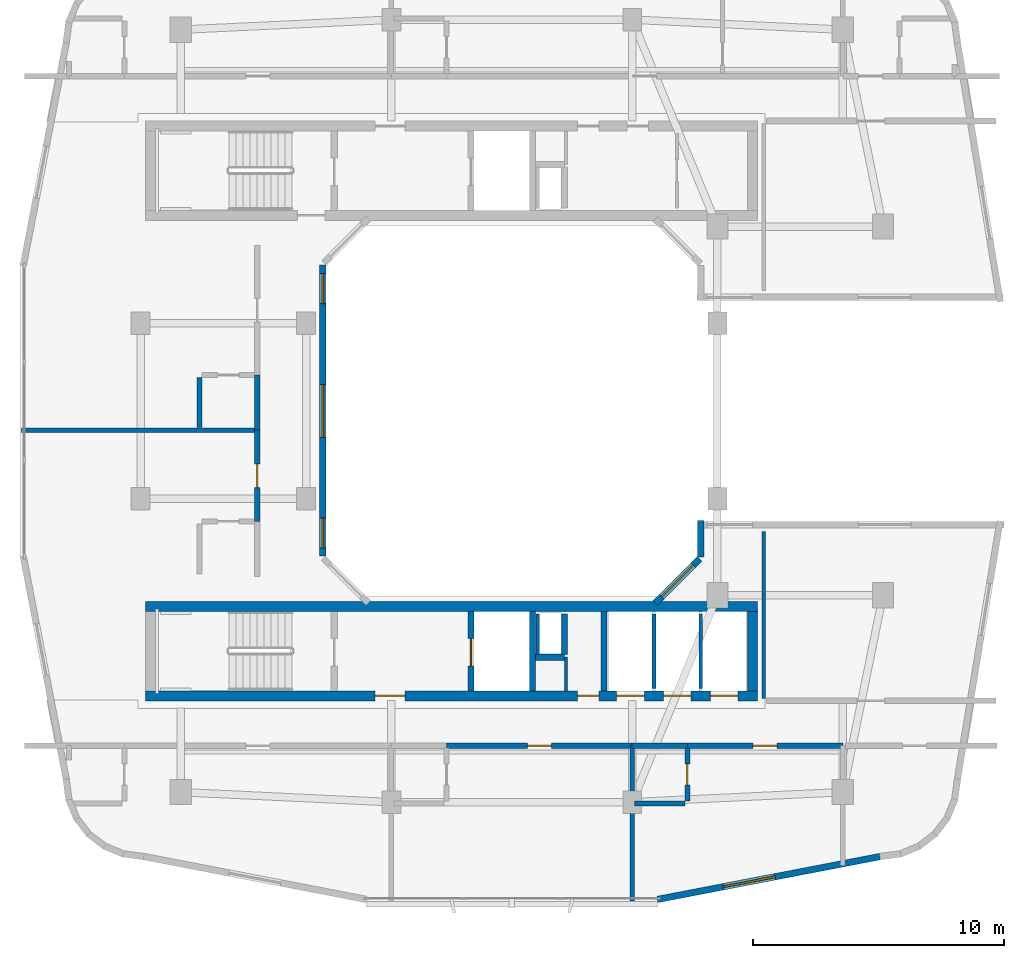
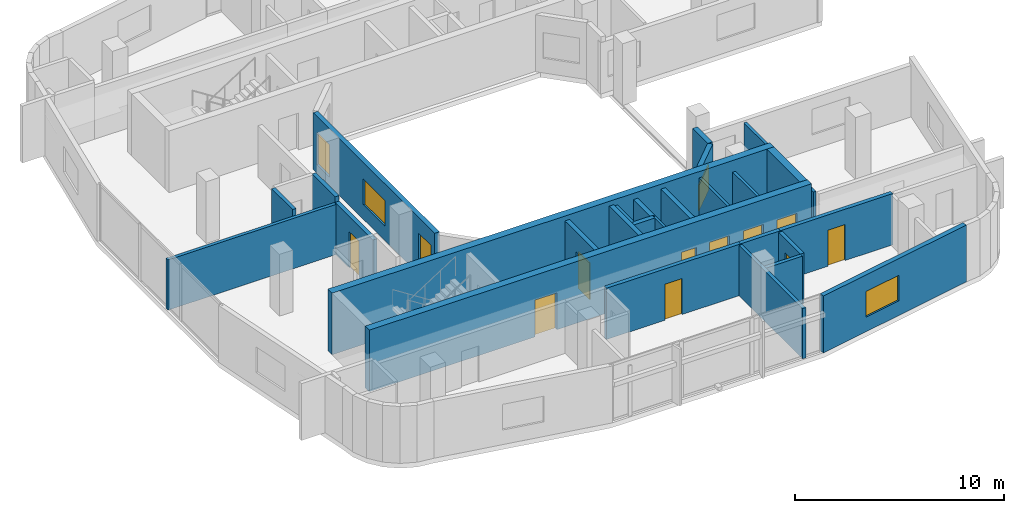
# One storey, part 5 of 12: 27 walls, 10 doors, 5 windows, 15 openings.
"""IFC4 building model written with IfcOpenShell, lengths in metres."""

from ifc_helpers import new_model, si_unit, derived_unit, direction, frame, frame_2d, origin, place, context, subcontext, project, spatial, rectangle, extrude, material, layer, layer_set, type_object, element, fill, save


model = new_model("IFC4")

# Units and contexts
model_context = context("Model", 3, precision=1e-05, world=origin(), true_north=direction((0.0, 1.0)))
body_context = subcontext(model_context, "Body", "Model", "MODEL_VIEW")
ifc_project = project(units=[si_unit("LENGTHUNIT", "METRE"), si_unit("AREAUNIT", "SQUARE_METRE"), si_unit("VOLUMEUNIT", "CUBIC_METRE"), si_unit("PLANEANGLEUNIT", "RADIAN"), si_unit("MASSUNIT", "GRAM", prefix="KILO"), derived_unit("THERMALTRANSMITTANCEUNIT", [(si_unit("POWERUNIT", "WATT"), 1), (si_unit("LENGTHUNIT", "METRE"), -2), (si_unit("THERMODYNAMICTEMPERATUREUNIT", "KELVIN"), -1)])], contexts=[model_context])

# Site, building, storey
site_placement = place(None, origin())
site = spatial("IfcSite", under=ifc_project, at=site_placement, CompositionType="ELEMENT")
building_placement = place(site_placement, origin())
building = spatial("IfcBuilding", under=site, at=building_placement, Name="Kivonza Crest Hotel", CompositionType="ELEMENT")
storey_placement = place(building_placement, frame((0.0, 0.0, 188.300048828125)))
storey = spatial("IfcBuildingStorey", under=building, at=storey_placement, Name="L51", CompositionType="ELEMENT", Elevation=188.300048828125)

# Walls
ifc_material_1 = material(Name="High-density acoustic masonry inter-tenancy wall", Category="masonry")
ifc_layer_1 = layer(ifc_material_1, 0.179931640625)
ifc_layer_set_1 = layer_set([ifc_layer_1], Name="High-density acoustic masonry inter-tenancy wall")
wall_type_1 = type_object("IfcWallType", Name="WL-ACOU-180", PredefinedType="SOLIDWALL", material=ifc_layer_set_1)
wall_1_placement = place(storey_placement, frame((25.800048828125, 5.4599609375, 0.0), z_axis=(0.0, 0.0, 1.0), x_axis=(0.0, 1.0, 0.0)))
element("IfcWall", 1, at=wall_1_placement, inside=storey, type_object=wall_type_1, Name="L51 interior partition WA-L51-T1S-DIV2", PredefinedType="SOLIDWALL", context=body_context, shape_type="SweptSolid", body=[
    extrude(rectangle(XDim=6.18994140625, YDim=0.179931640625, at=frame_2d((3.094970703125, 0.0))), origin(), (0.0, 0.0, 1.0), 2.93505859375),
])
wall_2_placement = place(storey_placement, frame((1.4599609375, 24.22998046875, 0.0), z_axis=(0.0, 0.0, 1.0), x_axis=(1.0, 0.0, 0.0)))
element("IfcWall", 2, at=wall_2_placement, inside=storey, type_object=wall_type_1, Name="L51 interior partition WA-L51-T1W-DIV1", PredefinedType="SOLIDWALL", context=body_context, shape_type="SweptSolid", body=[
    extrude(rectangle(XDim=9.39013671875, YDim=0.179931640625, at=frame_2d((4.695068359375, 0.0))), origin(), (0.0, 0.0, 1.0), 2.93505859375),
])

# Wall, opening, door
ifc_material_2 = material(Name="Autoclaved aerated concrete blockwork", Category="masonry")
ifc_layer_2 = layer(ifc_material_2, 0.219970703125)
ifc_layer_set_2 = layer_set([ifc_layer_2], Name="Autoclaved aerated concrete blockwork")
wall_type_2 = type_object("IfcWallType", Name="WL-ACOU-220", PredefinedType="SOLIDWALL", material=ifc_layer_set_2)
wall_3_placement = place(storey_placement, frame((18.39990234375, 11.64990234375, 0.0), z_axis=(0.0, 0.0, 1.0), x_axis=(1.0, 0.0, 0.0)))
wall_3 = element("IfcWall", 3, at=wall_3_placement, inside=storey, type_object=wall_type_2, Name="L51 interior partition WA-L51-S05-MCORR", PredefinedType="SOLIDWALL", context=body_context, shape_type="SweptSolid", body=[
    extrude(rectangle(XDim=7.400146484375, YDim=0.219970703125, at=frame_2d((3.7001953125, 0.0))), origin(), (0.0, 0.0, 1.0), 2.994873046875),
])
opening_1_placement = place(wall_3_placement, frame((3.22509765625, 0.0, 0.0)))
opening_1 = element("IfcOpeningElement", 4, at=opening_1_placement, cuts=wall_3, Name="Opening DU-60", PredefinedType="OPENING", context=body_context, shape_type="SweptSolid", body=[
    extrude(rectangle(XDim=0.949951171875, YDim=2.10009765625, at=frame_2d((0.47509765625, 1.050048828125))), frame((0.0, 0.1201171875, 0.0), z_axis=(0.0, -1.0, 0.0), x_axis=(1.0, 0.0, 0.0)), (0.0, 0.0, 1.0), 0.239990234375),
])
ifc_material_3 = material(Name="Hardwood timber oak", Category="wood")
door_type_1 = type_object("IfcDoorType", Name="DR-UNIT-950", OperationType="NOTDEFINED", PredefinedType="DOOR", material=ifc_material_3)
door_1_placement = place(opening_1_placement, frame((0.949951171875, 0.0, 0.0), z_axis=(0.0, 0.0, 1.0), x_axis=(-1.0, 0.0, 0.0)))
door_1 = element("IfcDoor", 5, at=door_1_placement, inside=storey, type_object=door_type_1, Name="L51 S05 guest unit entrance fire door", OperationType="SINGLE_SWING_LEFT", OverallHeight=2.10009765625, OverallWidth=0.949951171875, PredefinedType="DOOR", context=body_context, shape_type="SweptSolid", body=[
    extrude(rectangle(XDim=0.949951171875, YDim=2.10009765625, at=frame_2d((0.47509765625, 1.050048828125))), frame((0.0, 0.02490234375, 0.0), z_axis=(0.0, -1.0, 0.0), x_axis=(1.0, 0.0, 0.0)), (0.0, 0.0, 1.0), 0.050048828125),
])
fill(opening_1, door_1)

# Wall
wall_4_placement = place(storey_placement, frame((25.800048828125, 11.64990234375, 0.0), z_axis=(0.0, 0.0, 1.0), x_axis=(1.0, 0.0, 0.0)))
element("IfcWall", 6, at=wall_4_placement, inside=storey, type_object=wall_type_2, Name="L51 interior partition WA-L51-S06-BCORR", PredefinedType="SOLIDWALL", context=body_context, shape_type="SweptSolid", body=[
    extrude(rectangle(XDim=2.199951171875, YDim=0.219970703125, at=frame_2d((1.10009765625, 0.0))), origin(), (0.0, 0.0, 1.0), 2.994873046875),
])

# Wall, opening, door
wall_5_placement = place(storey_placement, frame((28.0, 11.64990234375, 0.0), z_axis=(0.0, 0.0, 1.0), x_axis=(1.0, 0.0, 0.0)))
wall_5 = element("IfcWall", 7, at=wall_5_placement, inside=storey, type_object=wall_type_2, Name="L51 interior partition WA-L51-S06-MCORR", PredefinedType="SOLIDWALL", context=body_context, shape_type="SweptSolid", body=[
    extrude(rectangle(XDim=6.199951171875, YDim=0.219970703125, at=frame_2d((3.10009765625, 0.0))), origin(), (0.0, 0.0, 1.0), 2.994873046875),
])
opening_2_placement = place(wall_5_placement, frame((2.625, 0.0, 0.0)))
opening_2 = element("IfcOpeningElement", 8, at=opening_2_placement, cuts=wall_5, Name="Opening DU-60", PredefinedType="OPENING", context=body_context, shape_type="SweptSolid", body=[
    extrude(rectangle(XDim=0.949951171875, YDim=2.10009765625, at=frame_2d((0.47509765625, 1.050048828125))), frame((0.0, 0.1201171875, 0.0), z_axis=(0.0, -1.0, 0.0), x_axis=(1.0, 0.0, 0.0)), (0.0, 0.0, 1.0), 0.239990234375),
])
door_2_placement = place(opening_2_placement, frame((0.949951171875, 0.0, 0.0), z_axis=(0.0, 0.0, 1.0), x_axis=(-1.0, 0.0, 0.0)))
door_2 = element("IfcDoor", 9, at=door_2_placement, inside=storey, type_object=door_type_1, Name="L51 S06 guest unit entrance fire door", OperationType="SINGLE_SWING_RIGHT", OverallHeight=2.10009765625, OverallWidth=0.949951171875, PredefinedType="DOOR", context=body_context, shape_type="SweptSolid", body=[
    extrude(rectangle(XDim=0.949951171875, YDim=2.10009765625, at=frame_2d((0.47509765625, 1.050048828125))), frame((0.0, 0.02490234375, 0.0), z_axis=(0.0, -1.0, 0.0), x_axis=(1.0, 0.0, 0.0)), (0.0, 0.0, 1.0), 0.050048828125),
])
fill(opening_2, door_2)

wall_6_placement = place(storey_placement, frame((10.85009765625, 20.60009765625, 0.0), z_axis=(0.0, 0.0, 1.0), x_axis=(0.0, 1.0, 0.0)))
wall_6 = element("IfcWall", 10, at=wall_6_placement, inside=storey, type_object=wall_type_2, Name="L51 interior partition WA-L51-W07-MCORR", PredefinedType="SOLIDWALL", context=body_context, shape_type="SweptSolid", body=[
    extrude(rectangle(XDim=3.6298828125, YDim=0.219970703125, at=frame_2d((1.81494140625, 0.0))), origin(), (0.0, 0.0, 1.0), 2.994873046875),
])
opening_3_placement = place(wall_6_placement, frame((1.340087890625, 0.0, 0.0)))
opening_3 = element("IfcOpeningElement", 11, at=opening_3_placement, cuts=wall_6, Name="Opening DU-60", PredefinedType="OPENING", context=body_context, shape_type="SweptSolid", body=[
    extrude(rectangle(XDim=0.949951171875, YDim=2.10009765625, at=frame_2d((0.47509765625, 1.050048828125))), frame((0.0, 0.1201171875, 0.0), z_axis=(0.0, -1.0, 0.0), x_axis=(1.0, 0.0, 0.0)), (0.0, 0.0, 1.0), 0.239990234375),
])
door_3_placement = place(opening_3_placement, origin())
door_3 = element("IfcDoor", 12, at=door_3_placement, inside=storey, type_object=door_type_1, Name="L51 W07 guest unit entrance fire door", OperationType="SINGLE_SWING_LEFT", OverallHeight=2.10009765625, OverallWidth=0.949951171875, PredefinedType="DOOR", context=body_context, shape_type="SweptSolid", body=[
    extrude(rectangle(XDim=0.949951171875, YDim=2.10009765625, at=frame_2d((0.47509765625, 1.050048828125))), frame((0.0, 0.02490234375, 0.0), z_axis=(0.0, -1.0, 0.0), x_axis=(1.0, 0.0, 0.0)), (0.0, 0.0, 1.0), 0.050048828125),
])
fill(opening_3, door_3)

# Wall
wall_7_placement = place(storey_placement, frame((10.85009765625, 24.22998046875, 0.0), z_axis=(0.0, 0.0, 1.0), x_axis=(0.0, 1.0, 0.0)))
element("IfcWall", 13, at=wall_7_placement, inside=storey, type_object=wall_type_2, Name="L51 interior partition WA-L51-W08-BCORR", PredefinedType="SOLIDWALL", context=body_context, shape_type="SweptSolid", body=[
    extrude(rectangle(XDim=2.199951171875, YDim=0.219970703125, at=frame_2d((1.10009765625, 0.0))), origin(), (0.0, 0.0, 1.0), 3.320068359375),
])

# Wall, openings, doors
ifc_material_4 = material(Name="Concrete C50/60", Category="concrete")
ifc_layer_3 = layer(ifc_material_4, 0.39990234375)
ifc_layer_set_3 = layer_set([ifc_layer_3], Name="Concrete C50/60")
wall_type_3 = type_object("IfcWallType", Name="WL-CORE-400", PredefinedType="SHEAR", material=ifc_layer_set_3)
wall_8_placement = place(storey_placement, frame((6.39990234375, 13.639892578125, 0.0), z_axis=(0.0, 0.0, 1.0), x_axis=(1.0, 0.0, 0.0)))
wall_8 = element("IfcWall", 14, at=wall_8_placement, inside=storey, type_object=wall_type_3, Name="Core wall T1-S South L51", PredefinedType="SHEAR", context=body_context, shape_type="SweptSolid", body=[
    extrude(rectangle(XDim=24.400146484375, YDim=0.39990234375, at=frame_2d((12.2001953125, 0.0))), origin(), (0.0, 0.0, 1.0), 3.599853515625),
])
opening_4_placement = place(wall_8_placement, frame((9.14990234375, 0.0, 0.0)))
opening_4 = element("IfcOpeningElement", 15, at=opening_4_placement, cuts=wall_8, Name="Opening DF-60", PredefinedType="OPENING", context=body_context, shape_type="SweptSolid", body=[
    extrude(rectangle(XDim=1.199951171875, YDim=2.14990234375, at=frame_2d((0.60009765625, 1.074951171875))), frame((0.0, 0.2099609375, 0.0), z_axis=(0.0, -1.0, 0.0), x_axis=(1.0, 0.0, 0.0)), (0.0, 0.0, 1.0), 0.419921875),
])
opening_5_placement = place(wall_8_placement, frame((17.219970703125, 0.0, 0.0)))
opening_5 = element("IfcOpeningElement", 16, at=opening_5_placement, cuts=wall_8, Name="Opening DF-60R", PredefinedType="OPENING", context=body_context, shape_type="SweptSolid", body=[
    extrude(rectangle(XDim=0.85009765625, YDim=2.10009765625, at=frame_2d((0.425048828125, 1.050048828125))), frame((0.0, 0.2099609375, 0.0), z_axis=(0.0, -1.0, 0.0), x_axis=(1.0, 0.0, 0.0)), (0.0, 0.0, 1.0), 0.419921875),
])
opening_6_placement = place(wall_8_placement, frame((18.782958984375, 0.0, 0.0)))
opening_6 = element("IfcOpeningElement", 17, at=opening_6_placement, cuts=wall_8, Name="Opening LD-120", PredefinedType="OPENING", context=body_context, shape_type="SweptSolid", body=[
    extrude(rectangle(XDim=1.10009765625, YDim=2.14990234375, at=frame_2d((0.550048828125, 1.074951171875))), frame((0.0, 0.2099609375, 0.0), z_axis=(0.0, -1.0, 0.0), x_axis=(1.0, 0.0, 0.0)), (0.0, 0.0, 1.0), 0.419921875),
])
opening_7_placement = place(wall_8_placement, frame((20.64990234375, 0.0, 0.0)))
opening_7 = element("IfcOpeningElement", 18, at=opening_7_placement, cuts=wall_8, Name="Opening LD-120", PredefinedType="OPENING", context=body_context, shape_type="SweptSolid", body=[
    extrude(rectangle(XDim=1.10009765625, YDim=2.14990234375, at=frame_2d((0.550048828125, 1.074951171875))), frame((0.0, 0.2099609375, 0.0), z_axis=(0.0, -1.0, 0.0), x_axis=(1.0, 0.0, 0.0)), (0.0, 0.0, 1.0), 0.419921875),
])
opening_8_placement = place(wall_8_placement, frame((22.51708984375, 0.0, 0.0)))
opening_8 = element("IfcOpeningElement", 19, at=opening_8_placement, cuts=wall_8, Name="Opening LD-120", PredefinedType="OPENING", context=body_context, shape_type="SweptSolid", body=[
    extrude(rectangle(XDim=1.10009765625, YDim=2.14990234375, at=frame_2d((0.550048828125, 1.074951171875))), frame((0.0, 0.2099609375, 0.0), z_axis=(0.0, -1.0, 0.0), x_axis=(1.0, 0.0, 0.0)), (0.0, 0.0, 1.0), 0.419921875),
])
door_type_2 = type_object("IfcDoorType", Name="DR-FD60-1200", OperationType="NOTDEFINED", PredefinedType="DOOR", material=ifc_material_3)
door_4_placement = place(opening_4_placement, frame((1.199951171875, 0.0, 0.0), z_axis=(0.0, 0.0, 1.0), x_axis=(-1.0, 0.0, 0.0)))
door_4 = element("IfcDoor", 20, at=door_4_placement, inside=storey, type_object=door_type_2, Name="L51 T1-S firefighting lobby fire door", OperationType="SINGLE_SWING_LEFT", OverallHeight=2.14990234375, OverallWidth=1.199951171875, PredefinedType="DOOR", context=body_context, shape_type="SweptSolid", body=[
    extrude(rectangle(XDim=1.199951171875, YDim=2.14990234375, at=frame_2d((0.60009765625, 1.074951171875))), frame((0.0, 0.02490234375, 0.0), z_axis=(0.0, -1.0, 0.0), x_axis=(1.0, 0.0, 0.0)), (0.0, 0.0, 1.0), 0.050048828125),
])
fill(opening_4, door_4)
door_type_3 = type_object("IfcDoorType", Name="DR-FD60-850", OperationType="NOTDEFINED", PredefinedType="DOOR", material=ifc_material_3)
door_5_placement = place(opening_5_placement, frame((0.85009765625, 0.0, 0.0), z_axis=(0.0, 0.0, 1.0), x_axis=(-1.0, 0.0, 0.0)))
door_5 = element("IfcDoor", 21, at=door_5_placement, inside=storey, type_object=door_type_3, Name="L51 T1-S core room door", OperationType="SINGLE_SWING_RIGHT", OverallHeight=2.10009765625, OverallWidth=0.85009765625, PredefinedType="DOOR", context=body_context, shape_type="SweptSolid", body=[
    extrude(rectangle(XDim=0.85009765625, YDim=2.10009765625, at=frame_2d((0.425048828125, 1.050048828125))), frame((0.0, 0.02490234375, 0.0), z_axis=(0.0, -1.0, 0.0), x_axis=(1.0, 0.0, 0.0)), (0.0, 0.0, 1.0), 0.050048828125),
])
fill(opening_5, door_5)
ifc_material_5 = material(Name="Stainless steel", Category="steel")
door_type_4 = type_object("IfcDoorType", Name="DR-LD120-1100", OperationType="NOTDEFINED", PredefinedType="DOOR", material=ifc_material_5)
door_6_placement = place(opening_6_placement, frame((1.10009765625, 0.0, 0.0), z_axis=(0.0, 0.0, 1.0), x_axis=(-1.0, 0.0, 0.0)))
door_6 = element("IfcDoor", 22, at=door_6_placement, inside=storey, type_object=door_type_4, Name="L51 PL-T1-H1 passenger lift sliding landing door", OperationType="DOUBLE_DOOR_SLIDING", OverallHeight=2.14990234375, OverallWidth=1.10009765625, PredefinedType="DOOR", context=body_context, shape_type="SweptSolid", body=[
    extrude(rectangle(XDim=1.10009765625, YDim=2.14990234375, at=frame_2d((0.550048828125, 1.074951171875))), frame((0.0, 0.02490234375, 0.0), z_axis=(0.0, -1.0, 0.0), x_axis=(1.0, 0.0, 0.0)), (0.0, 0.0, 1.0), 0.050048828125),
])
fill(opening_6, door_6)
door_7_placement = place(opening_7_placement, frame((1.10009765625, 0.0, 0.0), z_axis=(0.0, 0.0, 1.0), x_axis=(-1.0, 0.0, 0.0)))
door_7 = element("IfcDoor", 23, at=door_7_placement, inside=storey, type_object=door_type_4, Name="L51 PL-T1-H2 passenger lift sliding landing door", OperationType="DOUBLE_DOOR_SLIDING", OverallHeight=2.14990234375, OverallWidth=1.10009765625, PredefinedType="DOOR", context=body_context, shape_type="SweptSolid", body=[
    extrude(rectangle(XDim=1.10009765625, YDim=2.14990234375, at=frame_2d((0.550048828125, 1.074951171875))), frame((0.0, 0.02490234375, 0.0), z_axis=(0.0, -1.0, 0.0), x_axis=(1.0, 0.0, 0.0)), (0.0, 0.0, 1.0), 0.050048828125),
])
fill(opening_7, door_7)
door_8_placement = place(opening_8_placement, frame((1.10009765625, 0.0, 0.0), z_axis=(0.0, 0.0, 1.0), x_axis=(-1.0, 0.0, 0.0)))
door_8 = element("IfcDoor", 24, at=door_8_placement, inside=storey, type_object=door_type_4, Name="L51 PL-T1-H3 passenger lift sliding landing door", OperationType="DOUBLE_DOOR_SLIDING", OverallHeight=2.14990234375, OverallWidth=1.10009765625, PredefinedType="DOOR", context=body_context, shape_type="SweptSolid", body=[
    extrude(rectangle(XDim=1.10009765625, YDim=2.14990234375, at=frame_2d((0.550048828125, 1.074951171875))), frame((0.0, 0.02490234375, 0.0), z_axis=(0.0, -1.0, 0.0), x_axis=(1.0, 0.0, 0.0)), (0.0, 0.0, 1.0), 0.050048828125),
])
fill(opening_8, door_8)

# Walls
wall_9_placement = place(storey_placement, frame((6.39990234375, 17.199951171875, 0.0), z_axis=(0.0, 0.0, 1.0), x_axis=(1.0, 0.0, 0.0)))
element("IfcWall", 25, at=wall_9_placement, inside=storey, type_object=wall_type_3, Name="Core wall T1-S North L51", PredefinedType="SHEAR", context=body_context, shape_type="SweptSolid", body=[
    extrude(rectangle(XDim=24.400146484375, YDim=0.39990234375, at=frame_2d((12.2001953125, 0.0))), origin(), (0.0, 0.0, 1.0), 3.599853515625),
])
wall_10_placement = place(storey_placement, frame((30.60009765625, 13.840087890625, 0.0), z_axis=(0.0, 0.0, 1.0), x_axis=(0.0, 1.0, 0.0)))
element("IfcWall", 26, at=wall_10_placement, inside=storey, type_object=wall_type_3, Name="Core wall T1-S East L51", PredefinedType="SHEAR", context=body_context, shape_type="SweptSolid", body=[
    extrude(rectangle(XDim=3.159912109375, YDim=0.39990234375, at=frame_2d((1.580078125, 0.0))), origin(), (0.0, 0.0, 1.0), 3.599853515625),
])

# Wall, opening, window
ifc_material_6 = material(Name="Precast concrete C40/50", Category="concrete")
ifc_layer_4 = layer(ifc_material_6, 0.260009765625)
ifc_layer_set_4 = layer_set([ifc_layer_4], Name="Precast concrete C40/50")
wall_type_4 = type_object("IfcWallType", Name="WL-EXT-260", PredefinedType="STANDARD", material=ifc_layer_set_4)
wall_11_placement = place(storey_placement, frame((26.801025390625, 5.51806640625, 0.0), z_axis=(0.0, 0.0, 1.0), x_axis=(0.98192801022, 0.189254809039, 0.0)))
wall_11 = element("IfcWall", 27, at=wall_11_placement, inside=storey, type_object=wall_type_4, Name="L51 T1 exterior insulated wall 9", PredefinedType="STANDARD", context=body_context, shape_type="SweptSolid", body=[
    extrude(rectangle(XDim=9.045654296875, YDim=0.260009765625, at=frame_2d((4.52294921875, 0.0))), origin(), (0.0, 0.0, 1.0), 3.320068359375),
])
opening_9_placement = place(wall_11_placement, frame((2.680908203125, 0.0, 0.85009765625)))
opening_9 = element("IfcOpeningElement", 28, at=opening_9_placement, cuts=wall_11, Name="Opening WN-04", PredefinedType="OPENING", context=body_context, shape_type="SweptSolid", body=[
    extrude(rectangle(XDim=2.10009765625, YDim=1.5, at=frame_2d((1.050048828125, 0.75))), frame((0.0, 0.14013671875, 0.0), z_axis=(0.0, -1.0, 0.0), x_axis=(1.0, 0.0, 0.0)), (0.0, 0.0, 1.0), 0.280029296875),
])
ifc_material_7 = material(Name="Thermally broken bronze aluminium and low-E double glazing", Category="aluminium")
window_type_1 = type_object("IfcWindowType", Name="WN-210x150", PartitioningType="DOUBLE_PANEL_VERTICAL", PredefinedType="WINDOW", material=ifc_material_7)
window_1_placement = place(opening_9_placement, origin())
window_1 = element("IfcWindow", 29, at=window_1_placement, inside=storey, type_object=window_type_1, Name="L51 T1 facade window 9", OverallHeight=1.5, OverallWidth=2.10009765625, PartitioningType="SINGLE_PANEL", PredefinedType="WINDOW", context=body_context, shape_type="SweptSolid", body=[
    extrude(rectangle(XDim=2.10009765625, YDim=1.5, at=frame_2d((1.050048828125, 0.75))), frame((0.0, 0.030029296875, 0.0), z_axis=(0.0, -1.0, 0.0), x_axis=(1.0, 0.0, 0.0)), (0.0, 0.0, 1.0), 0.06005859375),
])
fill(opening_9, window_1)

# Wall
wall_12_placement = place(storey_placement, frame((28.530029296875, 20.625, 0.0), z_axis=(0.0, 0.0, 1.0), x_axis=(0.0, -1.0, 0.0)))
element("IfcWall", 30, at=wall_12_placement, inside=storey, type_object=wall_type_4, Name="L51 T1 exterior insulated wall 18", PredefinedType="STANDARD", context=body_context, shape_type="SweptSolid", body=[
    extrude(rectangle(XDim=1.449951171875, YDim=0.260009765625, at=frame_2d((0.72509765625, 0.0))), origin(), (0.0, 0.0, 1.0), 3.320068359375),
])

# Wall, opening, window
wall_13_placement = place(storey_placement, frame((28.485107421875, 19.10107421875, 0.0), z_axis=(0.0, 0.0, 1.0), x_axis=(-0.707106781187, -0.707106781187, 0.0)))
wall_13 = element("IfcWall", 31, at=wall_13_placement, inside=storey, type_object=wall_type_4, Name="L51 T1 exterior insulated wall 19", PredefinedType="STANDARD", context=body_context, shape_type="SweptSolid", body=[
    extrude(rectangle(XDim=2.493408203125, YDim=0.260009765625, at=frame_2d((1.24658203125, 0.0))), origin(), (0.0, 0.0, 1.0), 3.320068359375),
])
opening_10_placement = place(wall_13_placement, frame((0.346923828125, 0.0, 0.85009765625)))
opening_10 = element("IfcOpeningElement", 32, at=opening_10_placement, cuts=wall_13, Name="Opening WN-03", PredefinedType="OPENING", context=body_context, shape_type="SweptSolid", body=[
    extrude(rectangle(XDim=1.800048828125, YDim=1.5, at=frame_2d((0.89990234375, 0.75))), frame((0.0, 0.14013671875, 0.0), z_axis=(0.0, -1.0, 0.0), x_axis=(1.0, 0.0, 0.0)), (0.0, 0.0, 1.0), 0.280029296875),
])
window_type_2 = type_object("IfcWindowType", Name="WN-180x150", PartitioningType="DOUBLE_PANEL_VERTICAL", PredefinedType="WINDOW", material=ifc_material_7)
window_2_placement = place(opening_10_placement, origin())
window_2 = element("IfcWindow", 33, at=window_2_placement, inside=storey, type_object=window_type_2, Name="L51 T1 facade window 19", OverallHeight=1.5, OverallWidth=1.800048828125, PartitioningType="SINGLE_PANEL", PredefinedType="WINDOW", context=body_context, shape_type="SweptSolid", body=[
    extrude(rectangle(XDim=1.800048828125, YDim=1.5, at=frame_2d((0.89990234375, 0.75))), frame((0.0, 0.030029296875, 0.0), z_axis=(0.0, -1.0, 0.0), x_axis=(1.0, 0.0, 0.0)), (0.0, 0.0, 1.0), 0.06005859375),
])
fill(opening_10, window_2)

# Wall, openings, windows
wall_14_placement = place(storey_placement, frame((13.469970703125, 19.2099609375, 0.0), z_axis=(0.0, 0.0, 1.0), x_axis=(0.0, 1.0, 0.0)))
wall_14 = element("IfcWall", 34, at=wall_14_placement, inside=storey, type_object=wall_type_4, Name="L51 T1 exterior insulated wall 22", PredefinedType="STANDARD", context=body_context, shape_type="SweptSolid", body=[
    extrude(rectangle(XDim=11.614990234375, YDim=0.260009765625, at=frame_2d((5.8076171875, 0.0))), origin(), (0.0, 0.0, 1.0), 3.320068359375),
])
opening_11_placement = place(wall_14_placement, frame((0.330078125, 0.0, 0.5)))
opening_11 = element("IfcOpeningElement", 35, at=opening_11_placement, cuts=wall_14, Name="Opening WN-06", PredefinedType="OPENING", context=body_context, shape_type="SweptSolid", body=[
    extrude(rectangle(XDim=1.199951171875, YDim=1.89990234375, at=frame_2d((0.60009765625, 0.949951171875))), frame((0.0, 0.14013671875, 0.0), z_axis=(0.0, -1.0, 0.0), x_axis=(1.0, 0.0, 0.0)), (0.0, 0.0, 1.0), 0.280029296875),
])
opening_12_placement = place(wall_14_placement, frame((4.739990234375, 0.0, 0.85009765625)))
opening_12 = element("IfcOpeningElement", 36, at=opening_12_placement, cuts=wall_14, Name="Opening WN-04", PredefinedType="OPENING", context=body_context, shape_type="SweptSolid", body=[
    extrude(rectangle(XDim=2.10009765625, YDim=1.5, at=frame_2d((1.050048828125, 0.75))), frame((0.0, 0.14013671875, 0.0), z_axis=(0.0, -1.0, 0.0), x_axis=(1.0, 0.0, 0.0)), (0.0, 0.0, 1.0), 0.280029296875),
])
opening_13_placement = place(wall_14_placement, frame((10.06689453125, 0.0, 0.5)))
opening_13 = element("IfcOpeningElement", 37, at=opening_13_placement, cuts=wall_14, Name="Opening WN-06", PredefinedType="OPENING", context=body_context, shape_type="SweptSolid", body=[
    extrude(rectangle(XDim=1.199951171875, YDim=1.89990234375, at=frame_2d((0.60009765625, 0.949951171875))), frame((0.0, 0.14013671875, 0.0), z_axis=(0.0, -1.0, 0.0), x_axis=(1.0, 0.0, 0.0)), (0.0, 0.0, 1.0), 0.280029296875),
])
window_type_3 = type_object("IfcWindowType", Name="WN-120x190", PartitioningType="SINGLE_PANEL", PredefinedType="WINDOW", material=ifc_material_7)
window_3_placement = place(opening_11_placement, origin())
window_3 = element("IfcWindow", 38, at=window_3_placement, inside=storey, type_object=window_type_3, Name="L51 T1 facade window 22 bay 1", OverallHeight=1.89990234375, OverallWidth=1.199951171875, PartitioningType="SINGLE_PANEL", PredefinedType="WINDOW", context=body_context, shape_type="SweptSolid", body=[
    extrude(rectangle(XDim=1.199951171875, YDim=1.89990234375, at=frame_2d((0.60009765625, 0.949951171875))), frame((0.0, 0.030029296875, 0.0), z_axis=(0.0, -1.0, 0.0), x_axis=(1.0, 0.0, 0.0)), (0.0, 0.0, 1.0), 0.06005859375),
])
fill(opening_11, window_3)
window_4_placement = place(opening_13_placement, origin())
window_4 = element("IfcWindow", 39, at=window_4_placement, inside=storey, type_object=window_type_3, Name="L51 T1 facade window 22 bay 3", OverallHeight=1.89990234375, OverallWidth=1.199951171875, PartitioningType="SINGLE_PANEL", PredefinedType="WINDOW", context=body_context, shape_type="SweptSolid", body=[
    extrude(rectangle(XDim=1.199951171875, YDim=1.89990234375, at=frame_2d((0.60009765625, 0.949951171875))), frame((0.0, 0.030029296875, 0.0), z_axis=(0.0, -1.0, 0.0), x_axis=(1.0, 0.0, 0.0)), (0.0, 0.0, 1.0), 0.06005859375),
])
fill(opening_13, window_4)
window_5_placement = place(opening_12_placement, origin())
window_5 = element("IfcWindow", 40, at=window_5_placement, inside=storey, type_object=window_type_1, Name="L51 T1 facade window 22 bay 2", OverallHeight=1.5, OverallWidth=2.10009765625, PartitioningType="SINGLE_PANEL", PredefinedType="WINDOW", context=body_context, shape_type="SweptSolid", body=[
    extrude(rectangle(XDim=2.10009765625, YDim=1.5, at=frame_2d((1.050048828125, 0.75))), frame((0.0, 0.030029296875, 0.0), z_axis=(0.0, -1.0, 0.0), x_axis=(1.0, 0.0, 0.0)), (0.0, 0.0, 1.0), 0.06005859375),
])
fill(opening_12, window_5)

# Walls
ifc_material_8 = material(Name="Concrete blockwork fire-compartment wall", Category="masonry")
ifc_layer_5 = layer(ifc_material_8, 0.25)
ifc_layer_set_5 = layer_set([ifc_layer_5], Name="Concrete blockwork fire-compartment wall")
wall_type_5 = type_object("IfcWallType", Name="WL-FIRE-250", PredefinedType="SOLIDWALL", material=ifc_layer_set_5)
wall_15_placement = place(storey_placement, frame((23.10009765625, 15.280029296875, 0.0), z_axis=(0.0, 0.0, 1.0), x_axis=(0.0, 1.0, 0.0)))
element("IfcWall", 41, at=wall_15_placement, inside=storey, type_object=wall_type_5, Name="L51 interior partition WA-L51-T1-S-MEPR-E", PredefinedType="SOLIDWALL", context=body_context, shape_type="SweptSolid", body=[
    extrude(rectangle(XDim=1.619873046875, YDim=0.25, at=frame_2d((0.81005859375, 0.0))), origin(), (0.0, 0.0, 1.0), 3.320068359375),
])
wall_16_placement = place(storey_placement, frame((21.949951171875, 15.179931640625, 0.0), z_axis=(0.0, 0.0, 1.0), x_axis=(1.0, 0.0, 0.0)))
element("IfcWall", 42, at=wall_16_placement, inside=storey, type_object=wall_type_5, Name="L51 interior partition WA-L51-T1-S-MEPR-H", PredefinedType="SOLIDWALL", context=body_context, shape_type="SweptSolid", body=[
    extrude(rectangle(XDim=1.150146484375, YDim=0.25, at=frame_2d((0.5751953125, 0.0))), origin(), (0.0, 0.0, 1.0), 3.320068359375),
])
ifc_material_9 = material(Name="Metal-stud gypsum board partition", Category="gypsum")
ifc_layer_6 = layer(ifc_material_9, 0.125)
ifc_layer_set_6 = layer_set([ifc_layer_6], Name="Metal-stud gypsum board partition")
wall_type_6 = type_object("IfcWallType", Name="WL-PART-125", PredefinedType="PARTITIONING", material=ifc_layer_set_6)
wall_17_placement = place(storey_placement, frame((23.159912109375, 13.840087890625, 0.0), z_axis=(0.0, 0.0, 1.0), x_axis=(0.0, 1.0, 0.0)))
element("IfcWall", 43, at=wall_17_placement, inside=storey, type_object=wall_type_6, Name="L51 interior partition WP-L51-T1-S-SV1V", PredefinedType="PARTITIONING", context=body_context, shape_type="SweptSolid", body=[
    extrude(rectangle(XDim=1.33984375, YDim=0.125, at=frame_2d((0.669921875, 0.0))), origin(), (0.0, 0.0, 1.0), 3.320068359375),
])
ifc_material_10 = material(Name="Twin-stud acoustic gypsum board partition", Category="gypsum")
ifc_layer_7 = layer(ifc_material_10, 0.14990234375)
ifc_layer_set_7 = layer_set([ifc_layer_7], Name="Twin-stud acoustic gypsum board partition")
wall_type_7 = type_object("IfcWallType", Name="WL-PART-150", PredefinedType="PARTITIONING", material=ifc_layer_set_7)
wall_18_placement = place(storey_placement, frame((22.030029296875, 15.280029296875, 0.0), z_axis=(0.0, 0.0, 1.0), x_axis=(0.0, 1.0, 0.0)))
element("IfcWall", 44, at=wall_18_placement, inside=storey, type_object=wall_type_7, Name="L51 interior partition WA-L51-T1-S-MEPR-W", PredefinedType="PARTITIONING", context=body_context, shape_type="SweptSolid", body=[
    extrude(rectangle(XDim=1.619873046875, YDim=0.14990234375, at=frame_2d((0.81005859375, 0.0))), origin(), (0.0, 0.0, 1.0), 3.320068359375),
])
wall_19_placement = place(storey_placement, frame((26.6669921875, 13.93994140625, 0.0), z_axis=(0.0, 0.0, 1.0), x_axis=(0.0, 1.0, 0.0)))
element("IfcWall", 45, at=wall_19_placement, inside=storey, type_object=wall_type_7, Name="L51 interior partition WP-L51-T1-S-BSH-1", PredefinedType="PARTITIONING", context=body_context, shape_type="SweptSolid", body=[
    extrude(rectangle(XDim=2.9599609375, YDim=0.14990234375, at=frame_2d((1.47998046875, 0.0))), origin(), (0.0, 0.0, 1.0), 3.320068359375),
])
wall_20_placement = place(storey_placement, frame((28.532958984375, 13.93994140625, 0.0), z_axis=(0.0, 0.0, 1.0), x_axis=(0.0, 1.0, 0.0)))
element("IfcWall", 46, at=wall_20_placement, inside=storey, type_object=wall_type_7, Name="L51 interior partition WP-L51-T1-S-BSH-2", PredefinedType="PARTITIONING", context=body_context, shape_type="SweptSolid", body=[
    extrude(rectangle(XDim=2.9599609375, YDim=0.14990234375, at=frame_2d((1.47998046875, 0.0))), origin(), (0.0, 0.0, 1.0), 2.994873046875),
])
wall_21_placement = place(storey_placement, frame((31.050048828125, 13.5400390625, 0.0), z_axis=(0.0, 0.0, 1.0), x_axis=(0.0, 1.0, 0.0)))
element("IfcWall", 47, at=wall_21_placement, inside=storey, type_object=wall_type_7, Name="L51 interior partition WP-L51-EP1-BW", PredefinedType="PARTITIONING", context=body_context, shape_type="SweptSolid", body=[
    extrude(rectangle(XDim=6.659912109375, YDim=0.14990234375, at=frame_2d((3.330078125, 0.0))), origin(), (0.0, 0.0, 1.0), 2.994873046875),
])

# Wall, opening, door
ifc_material_11 = material(Name="Moisture-resistant plumbing chase partition wall", Category="gypsum")
ifc_layer_8 = layer(ifc_material_11, 0.199951171875)
ifc_layer_set_8 = layer_set([ifc_layer_8], Name="Moisture-resistant plumbing chase partition wall")
wall_type_8 = type_object("IfcWallType", Name="WL-PLUMB-200", PredefinedType="PLUMBINGWALL", material=ifc_layer_set_8)
wall_22_placement = place(storey_placement, frame((28.0, 9.449951171875, 0.0), z_axis=(0.0, 0.0, 1.0), x_axis=(0.0, 1.0, 0.0)))
wall_22 = element("IfcWall", 48, at=wall_22_placement, inside=storey, type_object=wall_type_8, Name="L51 interior partition WW-L51-S06-BV", PredefinedType="PLUMBINGWALL", context=body_context, shape_type="SweptSolid", body=[
    extrude(rectangle(XDim=2.10009765625, YDim=0.199951171875, at=frame_2d((1.050048828125, 0.0))), origin(), (0.0, 0.0, 1.0), 2.93505859375),
])
opening_14_placement = place(wall_22_placement, frame((0.625, 0.0, 0.0)))
opening_14 = element("IfcOpeningElement", 49, at=opening_14_placement, cuts=wall_22, Name="Opening DI-85", PredefinedType="OPENING", context=body_context, shape_type="SweptSolid", body=[
    extrude(rectangle(XDim=0.85009765625, YDim=2.10009765625, at=frame_2d((0.425048828125, 1.050048828125))), frame((0.0, 0.10986328125, 0.0), z_axis=(0.0, -1.0, 0.0), x_axis=(1.0, 0.0, 0.0)), (0.0, 0.0, 1.0), 0.219970703125),
])
door_type_5 = type_object("IfcDoorType", Name="DR-INT-850", OperationType="NOTDEFINED", PredefinedType="DOOR", material=ifc_material_3)
door_9_placement = place(opening_14_placement, frame((0.85009765625, 0.0, 0.0), z_axis=(0.0, 0.0, 1.0), x_axis=(-1.0, 0.0, 0.0)))
door_9 = element("IfcDoor", 50, at=door_9_placement, inside=storey, type_object=door_type_5, Name="L51 S06 en-suite bathroom door", OperationType="SINGLE_SWING_LEFT", OverallHeight=2.10009765625, OverallWidth=0.85009765625, PredefinedType="DOOR", context=body_context, shape_type="SweptSolid", body=[
    extrude(rectangle(XDim=0.85009765625, YDim=2.10009765625, at=frame_2d((0.425048828125, 1.050048828125))), frame((0.0, 0.02490234375, 0.0), z_axis=(0.0, -1.0, 0.0), x_axis=(1.0, 0.0, 0.0)), (0.0, 0.0, 1.0), 0.050048828125),
])
fill(opening_14, door_9)

# Walls
wall_23_placement = place(storey_placement, frame((25.89990234375, 9.35009765625, 0.0), z_axis=(0.0, 0.0, 1.0), x_axis=(1.0, 0.0, 0.0)))
element("IfcWall", 51, at=wall_23_placement, inside=storey, type_object=wall_type_8, Name="L51 interior partition WW-L51-S06-BH", PredefinedType="PLUMBINGWALL", context=body_context, shape_type="SweptSolid", body=[
    extrude(rectangle(XDim=2.0, YDim=0.199951171875, at=frame_2d((1.0, 0.0))), origin(), (0.0, 0.0, 1.0), 2.93505859375),
])
wall_24_placement = place(storey_placement, frame((8.550048828125, 24.330078125, 0.0), z_axis=(0.0, 0.0, 1.0), x_axis=(0.0, 1.0, 0.0)))
element("IfcWall", 52, at=wall_24_placement, inside=storey, type_object=wall_type_8, Name="L51 interior partition WW-L51-W08-BV", PredefinedType="PLUMBINGWALL", context=body_context, shape_type="SweptSolid", body=[
    extrude(rectangle(XDim=2.0, YDim=0.199951171875, at=frame_2d((1.0, 0.0))), origin(), (0.0, 0.0, 1.0), 3.320068359375),
])

# Wall, opening, door
ifc_layer_9 = layer(ifc_material_4, 0.25)
ifc_layer_set_9 = layer_set([ifc_layer_9], Name="Concrete C50/60")
wall_type_9 = type_object("IfcWallType", Name="WL-SHAFT-250", PredefinedType="STANDARD", material=ifc_layer_set_9)
wall_25_placement = place(storey_placement, frame((19.375, 13.840087890625, 0.0), z_axis=(0.0, 0.0, 1.0), x_axis=(0.0, 1.0, 0.0)))
wall_25 = element("IfcWall", 53, at=wall_25_placement, inside=storey, type_object=wall_type_9, Name="Core shaft wall T1-S FFL-W L51", PredefinedType="STANDARD", context=body_context, shape_type="SweptSolid", body=[
    extrude(rectangle(XDim=3.159912109375, YDim=0.25, at=frame_2d((1.580078125, 0.0))), origin(), (0.0, 0.0, 1.0), 3.320068359375),
])
opening_15_placement = place(wall_25_placement, frame((0.97998046875, 0.0, 0.0)))
opening_15 = element("IfcOpeningElement", 54, at=opening_15_placement, cuts=wall_25, Name="Opening LD-120", PredefinedType="OPENING", context=body_context, shape_type="SweptSolid", body=[
    extrude(rectangle(XDim=1.10009765625, YDim=2.14990234375, at=frame_2d((0.550048828125, 1.074951171875))), frame((0.0, 0.135009765625, 0.0), z_axis=(0.0, -1.0, 0.0), x_axis=(1.0, 0.0, 0.0)), (0.0, 0.0, 1.0), 0.27001953125),
])
door_10_placement = place(opening_15_placement, origin())
door_10 = element("IfcDoor", 55, at=door_10_placement, inside=storey, type_object=door_type_4, Name="L51 FFL-T1-S firefighting lift sliding landing door", OperationType="DOUBLE_DOOR_SLIDING", OverallHeight=2.14990234375, OverallWidth=1.10009765625, PredefinedType="DOOR", context=body_context, shape_type="SweptSolid", body=[
    extrude(rectangle(XDim=1.10009765625, YDim=2.14990234375, at=frame_2d((0.550048828125, 1.074951171875))), frame((0.0, 0.02490234375, 0.0), z_axis=(0.0, -1.0, 0.0), x_axis=(1.0, 0.0, 0.0)), (0.0, 0.0, 1.0), 0.050048828125),
])
fill(opening_15, door_10)

# Walls
for number, where, z_axis, x_axis, name in (
    (56, (21.824951171875, 13.840087890625, 0.0), (0.0, 0.0, 1.0), (0.0, 1.0, 0.0), "Core shaft wall T1-S FFL-E L51"),
    (57, (24.675048828125, 13.840087890625, 0.0), (0.0, 0.0, 1.0), (0.0, 1.0, 0.0), "Core shaft wall T1-S BANK-W L51"),
):
    element("IfcWall", number, at=place(storey_placement, frame(where, z_axis=z_axis, x_axis=x_axis)), inside=storey, type_object=wall_type_9, Name=name, PredefinedType="STANDARD", context=body_context, shape_type="SweptSolid", body=[
        extrude(rectangle(XDim=3.159912109375, YDim=0.25, at=frame_2d((1.580078125, 0.0))), origin(), (0.0, 0.0, 1.0), 3.320068359375),
    ])

save(model, "model.ifc")
